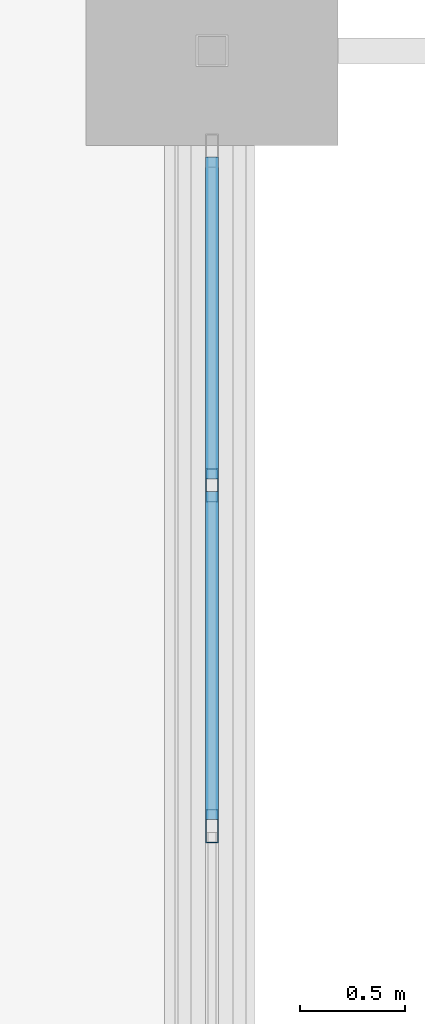
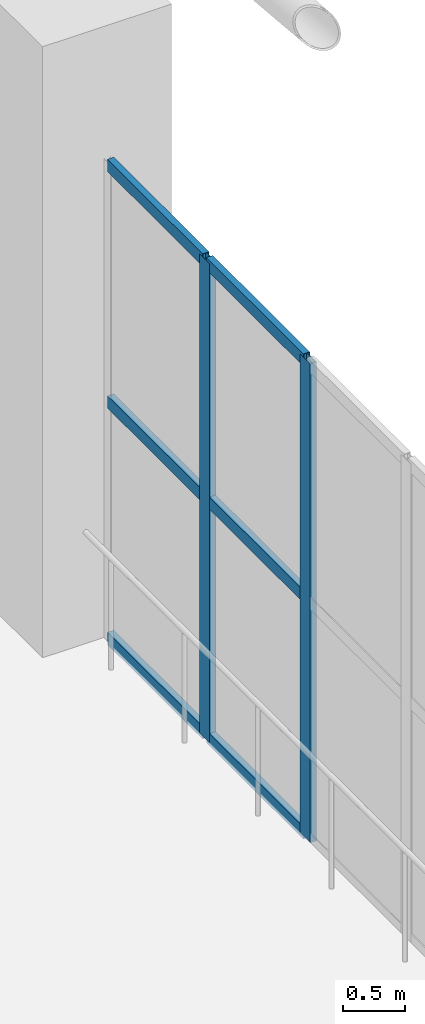
# One storey, part 121 of 223: 8 members, 1 element without a shape of its own.
"""IFC4 building model written with IfcOpenShell, lengths in metres."""

import ifcopenshell
import ifcopenshell.guid

model = None  # the IFC model being written
_history = None  # IfcOwnerHistory: only IFC2X3 demands one
_inside = {}  # id of a spatial element -> (the spatial element, [elements in it])
_under = {}  # id of a project, library or spatial element -> (it, [spatial elements below it])
_declared = {}  # id of a project -> (the project, [libraries it declares])
_typed = {}  # id of a type object -> (the type object, [elements of that type])
_made_of = {}  # id of a material, layer set ... -> (it, [elements and type objects made of it])


def new_model(schema):
    """Start an empty IFC model of exactly this schema.

    Asked for "IFC4X3", IfcOpenShell would pick the latest addendum, in which some entities
    have other attributes; the version numbers below select the first issue.
    IFC2X3 requires an IfcOwnerHistory on every rooted entity: one is made here for all.
    """
    global model, _history
    if schema == "IFC4X3":
        model = ifcopenshell.file(schema_version=(4, 3, 0, 0))
    else:
        model = ifcopenshell.file(schema=schema)
    _inside.clear()
    _under.clear()
    _declared.clear()
    _typed.clear()
    _made_of.clear()
    _history = None
    if model.schema == "IFC2X3":
        org = make("IfcOrganization", Name="unknown")
        user = make(
            "IfcPersonAndOrganization",
            ThePerson=make("IfcPerson", FamilyName="unknown"),
            TheOrganization=org,
        )
        app = make(
            "IfcApplication",
            ApplicationDeveloper=org,
            Version="unknown",
            ApplicationFullName="unknown",
            ApplicationIdentifier="unknown",
        )
        _history = make(
            "IfcOwnerHistory",
            OwningUser=user,
            OwningApplication=app,
            ChangeAction="ADDED",
            CreationDate=0,
        )
    return model


def make(cls, **values):
    """One entity of the class cls with the attributes given. An attribute that is None is left unset."""
    return model.create_entity(
        cls, **{name: value for name, value in values.items() if value is not None}
    )


def rooted(cls, **values):
    """An entity with a GlobalId (a new one), such as an element, a storey or a relation."""
    return make(cls, GlobalId=ifcopenshell.guid.new(), OwnerHistory=_history, **values)


def si_unit(unit_type, name, prefix=None):
    """IfcSIUnit, for example si_unit("LENGTHUNIT", "METRE", prefix="MILLI")."""
    return make("IfcSIUnit", UnitType=unit_type, Prefix=prefix, Name=name)


def assignment(units):
    """IfcUnitAssignment: the units of a project."""
    return None if units is None else make("IfcUnitAssignment", Units=units)


def point(xyz):
    """IfcCartesianPoint."""
    return None if xyz is None else make("IfcCartesianPoint", Coordinates=xyz)


def direction(xyz):
    """IfcDirection."""
    return None if xyz is None else make("IfcDirection", DirectionRatios=xyz)


def frame(location, z_axis=None, x_axis=None):
    """IfcAxis2Placement3D, a coordinate frame: its origin and axes. An axis left out is left unset."""
    return make(
        "IfcAxis2Placement3D",
        Location=point(location),
        Axis=direction(z_axis),
        RefDirection=direction(x_axis),
    )


def frame_2d(location, x_axis=None):
    """IfcAxis2Placement2D, a coordinate frame in the plane: its origin and x axis."""
    return make(
        "IfcAxis2Placement2D", Location=point(location), RefDirection=direction(x_axis)
    )


def origin():
    """The frame at (0, 0, 0) with its axes left unset."""
    return frame((0.0, 0.0, 0.0))


def origin_2d():
    """The frame at (0, 0) in the plane with its x axis left unset."""
    return frame_2d((0.0, 0.0))


def place(relative_to, where):
    """IfcLocalPlacement: puts the frame where relative to a parent placement (None: the world)."""
    return make(
        "IfcLocalPlacement", PlacementRelTo=relative_to, RelativePlacement=where
    )


def context(
    kind, dimensions, precision=None, world=None, true_north=None, identifier=None
):
    """IfcGeometricRepresentationContext, for example the 3D "Model" context."""
    return make(
        "IfcGeometricRepresentationContext",
        ContextIdentifier=identifier,
        ContextType=kind,
        CoordinateSpaceDimension=dimensions,
        Precision=precision,
        WorldCoordinateSystem=world,
        TrueNorth=true_north,
    )


def subcontext(parent, identifier, kind, view, scale=None):
    """IfcGeometricRepresentationSubContext, for example "Body" below "Model"."""
    return make(
        "IfcGeometricRepresentationSubContext",
        ContextIdentifier=identifier,
        ContextType=kind,
        ParentContext=parent,
        TargetScale=scale,
        TargetView=view,
    )


def project(units=None, contexts=None):
    """IfcProject with its units and contexts."""
    return rooted(
        "IfcProject",
        Name="project",
        RepresentationContexts=contexts,
        UnitsInContext=assignment(units),
    )


def spatial(cls, under=None, at=None, **own):
    """A site, building, storey or space (cls), placed at a placement, below another one or the project."""
    s = rooted(cls, ObjectPlacement=at, **own)
    if under is not None:
        _under.setdefault(under.id(), (under, []))[1].append(s)
    return s


def profile(cls, at=None, kind="AREA", **sizes):
    """A parametric profile (cls). Its sizes go by their IFC names, for example OverallWidth=200.0."""
    return make(cls, ProfileType=kind, Position=at, **sizes)


def hollow_rectangle(**sizes):
    """IfcRectangleHollowProfileDef."""
    return profile("IfcRectangleHollowProfileDef", **sizes)


def extrude(swept, where, along, depth):
    """IfcExtrudedAreaSolid: the profile swept, set in the frame where, extruded along a direction by depth."""
    return make(
        "IfcExtrudedAreaSolid",
        SweptArea=swept,
        Position=where,
        ExtrudedDirection=direction(along),
        Depth=depth,
    )


def shape(context_of_items, identifier, shape_type, items):
    """IfcShapeRepresentation: the items that make up one representation, for example the "Body"."""
    return make(
        "IfcShapeRepresentation",
        ContextOfItems=context_of_items,
        RepresentationIdentifier=identifier,
        RepresentationType=shape_type,
        Items=items,
    )


def material(Name=None, Category=None):
    """IfcMaterial."""
    return make("IfcMaterial", Name=Name, Category=Category)


def layer(
    of_material, thickness, ventilated=None, Name=None, Category=None, Priority=None
):
    """IfcMaterialLayer: one layer of a wall or slab, of a material (None: an air gap)."""
    return make(
        "IfcMaterialLayer",
        Material=of_material,
        LayerThickness=thickness,
        IsVentilated=ventilated,
        Name=Name,
        Category=Category,
        Priority=Priority,
    )


def layer_set(layers, Name=None):
    """IfcMaterialLayerSet."""
    return make("IfcMaterialLayerSet", MaterialLayers=layers, LayerSetName=Name)


def material_profile(
    of_material, cross_section, Name=None, Category=None, Priority=None
):
    """IfcMaterialProfile: a cross section and its material."""
    return make(
        "IfcMaterialProfile",
        Name=Name,
        Material=of_material,
        Profile=cross_section,
        Priority=Priority,
        Category=Category,
    )


def profile_set(profiles, Name=None, composite=None):
    """IfcMaterialProfileSet."""
    return make(
        "IfcMaterialProfileSet",
        Name=Name,
        MaterialProfiles=profiles,
        CompositeProfile=composite,
    )


def made_of(thing, what):
    """Note that an element or type object is made of a material, layer set ...; save() writes the relation."""
    if what is not None:
        _made_of.setdefault(what.id(), (what, []))[1].append(thing)
    return thing


def type_object(cls, material=None, **own):
    """A type object (cls), such as IfcWallType, which elements share."""
    return made_of(rooted(cls, **own), material)


def element(
    cls,
    number,
    at=None,
    inside=None,
    cuts=None,
    type_object=None,
    material=None,
    context=None,
    identifier="Body",
    shape_type=None,
    held_by="IfcProductDefinitionShape",
    body=None,
    shapes=None,
    **own,
):
    """One element of the class cls, such as IfcWall. Its Tag is "e" and its number.

    at: its placement. inside: the storey or other place that contains it. cuts: it is an
    opening in that element (IfcRelVoidsElement). A single representation is given by context,
    identifier, shape_type and body (its items); several are given by shapes. held_by: the class
    of the entity that holds the representations. save() writes the other relations.
    """
    e = rooted(cls, Tag="e%d" % number, ObjectPlacement=at, **own)
    if body is not None:
        shapes = [shape(context, identifier, shape_type, body)]
    if shapes is not None:
        e.Representation = make(held_by, Representations=shapes)
    if inside is not None:
        _inside.setdefault(inside.id(), (inside, []))[1].append(e)
    if cuts is not None:
        rooted(
            "IfcRelVoidsElement", RelatingBuildingElement=cuts, RelatedOpeningElement=e
        )
    if type_object is not None:
        _typed.setdefault(type_object.id(), (type_object, []))[1].append(e)
    return made_of(e, material)


def aggregate(whole, parts):
    """IfcRelAggregates: a whole, such as a stair, and the parts it consists of."""
    return rooted("IfcRelAggregates", RelatingObject=whole, RelatedObjects=parts)


def save(model, path):
    """Write the relations noted so far, then the file.

    IfcRelAggregates (storeys below a building ...), IfcRelContainedInSpatialStructure (elements
    in a storey), IfcRelDefinesByType, IfcRelAssociatesMaterial and IfcRelDeclares: one each for
    every whole, place, type object, material and project.
    """
    for whole, parts in _under.values():
        aggregate(whole, parts)
    for where, things in _inside.values():
        rooted(
            "IfcRelContainedInSpatialStructure",
            RelatedElements=things,
            RelatingStructure=where,
        )
    for kind, things in _typed.values():
        rooted("IfcRelDefinesByType", RelatedObjects=things, RelatingType=kind)
    for what, things in _made_of.values():
        rooted("IfcRelAssociatesMaterial", RelatedObjects=things, RelatingMaterial=what)
    for by, libraries in _declared.values():
        rooted("IfcRelDeclares", RelatingContext=by, RelatedDefinitions=libraries)
    model.write(path)


model = new_model("IFC4")

# Units and contexts
model_context = context("Model", 3, precision=1e-05, world=origin(), true_north=direction((0.0, 1.0)))
body_context = subcontext(model_context, "Body", "Model", "MODEL_VIEW")
ifc_project = project(units=[si_unit("LENGTHUNIT", "METRE"), si_unit("AREAUNIT", "SQUARE_METRE"), si_unit("VOLUMEUNIT", "CUBIC_METRE"), si_unit("PLANEANGLEUNIT", "RADIAN"), si_unit("MASSUNIT", "GRAM", prefix="KILO")], contexts=[model_context])

# Site, building, storey
site_placement = place(None, origin())
site = spatial("IfcSite", under=ifc_project, at=site_placement, CompositionType="ELEMENT")
building_placement = place(site_placement, origin())
building = spatial("IfcBuilding", under=site, at=building_placement, Name="Dornveld Trade and Exhibition Forum", CompositionType="ELEMENT")
storey_placement = place(building_placement, frame((0.0, 0.0, 6.0)))
storey = spatial("IfcBuildingStorey", under=building, at=storey_placement, Name="L01", CompositionType="ELEMENT", Elevation=6.0)

# Curtain wall, members
ifc_material_1 = material(Name="Dark-bronze anodised aluminium and low-E glass", Category="aluminium")
ifc_layer = layer(ifc_material_1, 0.18994140625)
ifc_layer_set = layer_set([ifc_layer], Name="Dark-bronze anodised aluminium and low-E glass")
curtain_wall_type = type_object("IfcCurtainWallType", Name="CW-SYS-16", PredefinedType="USERDEFINED", material=ifc_layer_set)
curtain_wall_placement = place(storey_placement, origin())
curtain_wall = element("IfcCurtainWall", 1, at=curtain_wall_placement, inside=storey, type_object=curtain_wall_type, Name="L01 unitised curtain wall 16", ObjectType="UNITISED_CURTAIN_WALL", PredefinedType="USERDEFINED")
ifc_material_2 = material(Name="Dark-bronze anodised aluminium", Category="aluminium")
ifc_material_profile_1 = material_profile(ifc_material_2, hollow_rectangle(XDim=0.06005859375, YDim=0.159912109375, WallThickness=0.00390625, at=origin_2d()), Name="RHS 160x60x4")
ifc_profile_set_1 = profile_set([ifc_material_profile_1], Name="Dark-bronze anodised aluminium")
member_type_1 = type_object("IfcMemberType", Name="CW-MUL-160", PredefinedType="MULLION", material=ifc_profile_set_1)
member_1_placement = place(storey_placement, frame((99.0, 150.932373046875, -0.00390625), z_axis=(0.0, 0.0, 1.0), x_axis=(1.0, 0.0, 0.0)))
member_1 = element("IfcMember", 2, at=member_1_placement, type_object=member_type_1, Name="CW-16 mullion 2", PredefinedType="MULLION", context=body_context, shape_type="SweptSolid", body=[
    extrude(hollow_rectangle(XDim=0.06005859375, YDim=0.159912109375, WallThickness=0.00390625, at=origin_2d()), origin(), (0.0, 0.0, 1.0), 4.703857421875),
])
member_2_placement = place(storey_placement, frame((99.0, 149.310791015625, -0.00390625), z_axis=(0.0, 0.0, 1.0), x_axis=(1.0, 0.0, 0.0)))
member_2 = element("IfcMember", 3, at=member_2_placement, type_object=member_type_1, Name="CW-16 mullion 3", PredefinedType="MULLION", context=body_context, shape_type="SweptSolid", body=[
    extrude(hollow_rectangle(XDim=0.06005859375, YDim=0.159912109375, WallThickness=0.00390625, at=origin_2d()), origin(), (0.0, 0.0, 1.0), 4.703857421875),
])
ifc_material_3 = material(Name="Dark-bronze anodised aluminium", Category="aluminium")
ifc_material_profile_2 = material_profile(ifc_material_3, hollow_rectangle(XDim=0.06005859375, YDim=0.1201171875, WallThickness=0.00390625, at=origin_2d()), Name="RHS 120x60x4")
ifc_profile_set_2 = profile_set([ifc_material_profile_2], Name="Dark-bronze anodised aluminium")
member_type_2 = type_object("IfcMemberType", Name="CW-TRN-120", PredefinedType="USERDEFINED", material=ifc_profile_set_2)
member_3_placement = place(storey_placement, frame((99.0, 152.493896484375, 0.02587890625), z_axis=(0.0, -1.0, 0.0), x_axis=(1.0, 0.0, 0.0)))
member_3 = element("IfcMember", 4, at=member_3_placement, type_object=member_type_2, Name="CW-16 transom 1.1", ObjectType="TRANSOM", PredefinedType="USERDEFINED", context=body_context, shape_type="SweptSolid", body=[
    extrude(hollow_rectangle(XDim=0.06005859375, YDim=0.1201171875, WallThickness=0.00390625, at=origin_2d()), origin(), (0.0, 0.0, 1.0), 1.531494140625),
])
member_4_placement = place(storey_placement, frame((99.0, 152.493896484375, 2.347900390625), z_axis=(0.0, -1.0, 0.0), x_axis=(1.0, 0.0, 0.0)))
member_4 = element("IfcMember", 5, at=member_4_placement, type_object=member_type_2, Name="CW-16 transom 1.2", ObjectType="TRANSOM", PredefinedType="USERDEFINED", context=body_context, shape_type="SweptSolid", body=[
    extrude(hollow_rectangle(XDim=0.06005859375, YDim=0.1201171875, WallThickness=0.00390625, at=origin_2d()), origin(), (0.0, 0.0, 1.0), 1.531494140625),
])
member_5_placement = place(storey_placement, frame((99.0, 152.493896484375, 4.669921875), z_axis=(0.0, -1.0, 0.0), x_axis=(1.0, 0.0, 0.0)))
member_5 = element("IfcMember", 6, at=member_5_placement, type_object=member_type_2, Name="CW-16 transom 1.3", ObjectType="TRANSOM", PredefinedType="USERDEFINED", context=body_context, shape_type="SweptSolid", body=[
    extrude(hollow_rectangle(XDim=0.06005859375, YDim=0.1201171875, WallThickness=0.00390625, at=origin_2d()), origin(), (0.0, 0.0, 1.0), 1.531494140625),
])
member_6_placement = place(storey_placement, frame((99.0, 150.90234375, 0.02587890625), z_axis=(0.0, -1.0, 0.0), x_axis=(1.0, 0.0, 0.0)))
member_6 = element("IfcMember", 7, at=member_6_placement, type_object=member_type_2, Name="CW-16 transom 2.1", ObjectType="TRANSOM", PredefinedType="USERDEFINED", context=body_context, shape_type="SweptSolid", body=[
    extrude(hollow_rectangle(XDim=0.06005859375, YDim=0.1201171875, WallThickness=0.00390625, at=origin_2d()), origin(), (0.0, 0.0, 1.0), 1.5615234375),
])
member_7_placement = place(storey_placement, frame((99.0, 150.90234375, 2.347900390625), z_axis=(0.0, -1.0, 0.0), x_axis=(1.0, 0.0, 0.0)))
member_7 = element("IfcMember", 8, at=member_7_placement, type_object=member_type_2, Name="CW-16 transom 2.2", ObjectType="TRANSOM", PredefinedType="USERDEFINED", context=body_context, shape_type="SweptSolid", body=[
    extrude(hollow_rectangle(XDim=0.06005859375, YDim=0.1201171875, WallThickness=0.00390625, at=origin_2d()), origin(), (0.0, 0.0, 1.0), 1.5615234375),
])
member_8_placement = place(storey_placement, frame((99.0, 150.90234375, 4.669921875), z_axis=(0.0, -1.0, 0.0), x_axis=(1.0, 0.0, 0.0)))
member_8 = element("IfcMember", 9, at=member_8_placement, type_object=member_type_2, Name="CW-16 transom 2.3", ObjectType="TRANSOM", PredefinedType="USERDEFINED", context=body_context, shape_type="SweptSolid", body=[
    extrude(hollow_rectangle(XDim=0.06005859375, YDim=0.1201171875, WallThickness=0.00390625, at=origin_2d()), origin(), (0.0, 0.0, 1.0), 1.5615234375),
])
aggregate(curtain_wall, [member_1, member_2, member_3, member_4, member_5, member_6, member_7, member_8])

save(model, "model.ifc")
